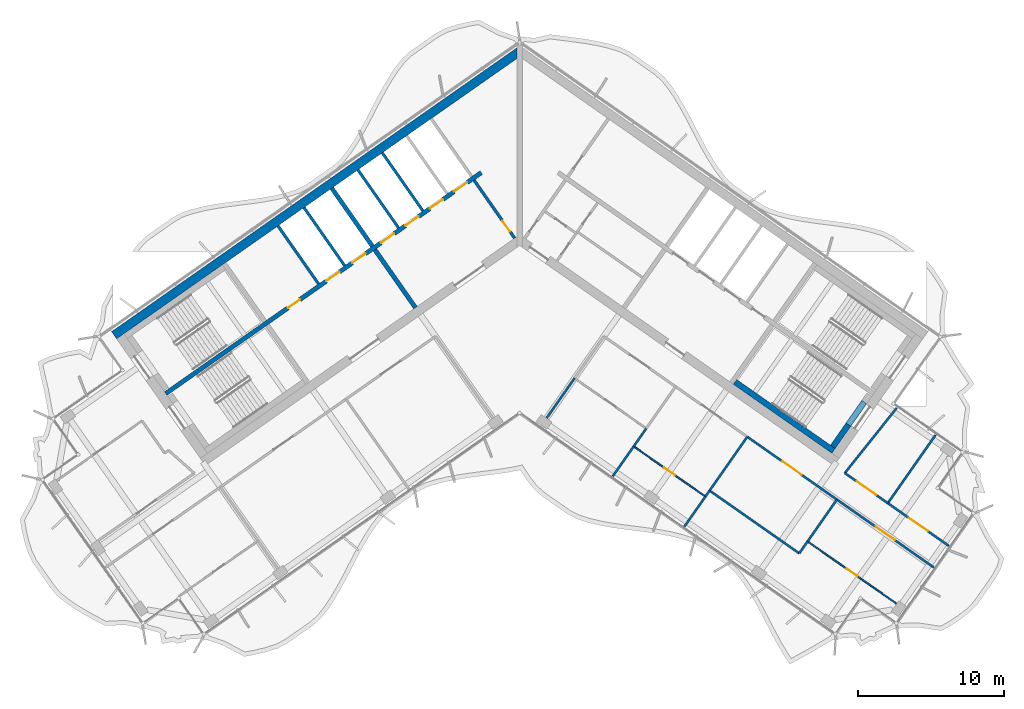
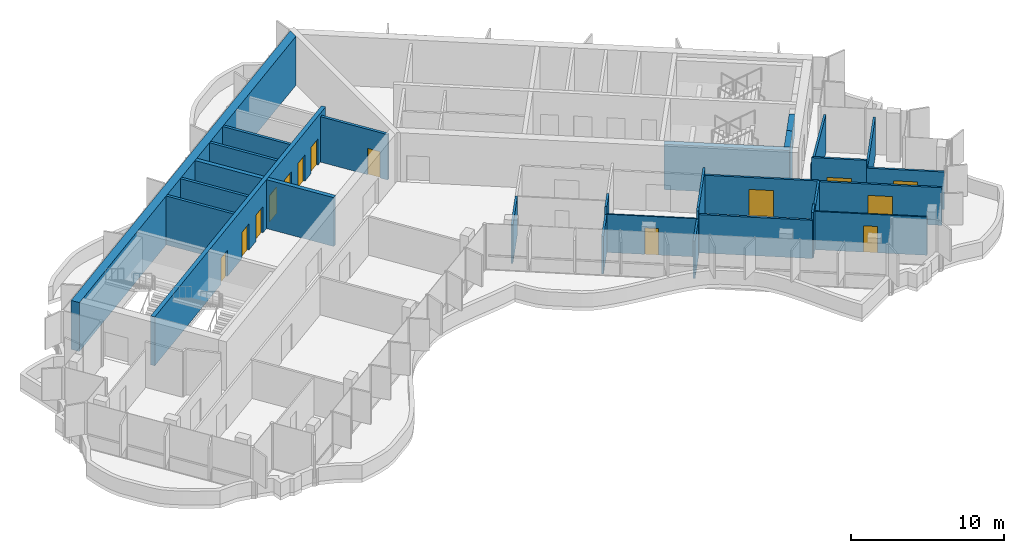
# One storey, part 10 of 18: 29 walls, 14 doors, 14 openings.
"""IFC4 building model written with IfcOpenShell, lengths in metres."""

from ifc_helpers import new_model, si_unit, direction, frame, frame_2d, origin, place, context, subcontext, project, spatial, polyline, rectangle, outline, extrude, material, layer, layer_set, type_object, element, fill, save


model = new_model("IFC4")

# Units and contexts
model_context = context("Model", 3, precision=1e-05, world=origin(), true_north=direction((0.0, 1.0)))
body_context = subcontext(model_context, "Body", "Model", "MODEL_VIEW")
ifc_project = project(units=[si_unit("LENGTHUNIT", "METRE"), si_unit("AREAUNIT", "SQUARE_METRE"), si_unit("VOLUMEUNIT", "CUBIC_METRE"), si_unit("PLANEANGLEUNIT", "RADIAN"), si_unit("MASSUNIT", "GRAM", prefix="KILO")], contexts=[model_context])

# Site, building, storey
site_placement = place(None, origin())
site = spatial("IfcSite", under=ifc_project, at=site_placement, CompositionType="ELEMENT")
building_placement = place(site_placement, origin())
building = spatial("IfcBuilding", under=site, at=building_placement, Name="Tel Ilan Convention Tower", CompositionType="ELEMENT")
storey_placement = place(building_placement, frame((0.0, 0.0, 256.60009765625)))
storey = spatial("IfcBuildingStorey", under=building, at=storey_placement, Name="L60", CompositionType="ELEMENT", Elevation=256.60009765625)

# Wall, opening, door
ifc_material_1 = material(Name="Concrete C30/37", Category="concrete")
ifc_layer_1 = layer(ifc_material_1, 0.199951171875)
ifc_layer_set_1 = layer_set([ifc_layer_1], Name="Core Service Room Wall 200 mm C30/37")
wall_type_1 = type_object("IfcWallType", Name="Core Service Room Wall 200 mm C30/37", PredefinedType="SOLIDWALL", material=ifc_layer_set_1)
wall_1_placement = place(storey_placement, frame((-0.343994140625, -0.729248046875, 0.0), z_axis=(0.0, 0.0, 1.0), x_axis=(-0.573560315113, 0.819163332265, 0.0)))
wall_1 = element("IfcWall", 1, at=wall_1_placement, inside=storey, type_object=wall_type_1, Name="L60 core wall apex-W", PredefinedType="SOLIDWALL", context=body_context, shape_type="SweptSolid", body=[
    extrude(rectangle(XDim=4.849853515625, YDim=0.199951171875, at=frame_2d((2.4248046875, 0.0))), origin(), (0.0, 0.0, 1.0), 3.619873046875),
])
opening_1_placement = place(wall_1_placement, frame((0.550048828125, 0.0, 0.0)))
opening_1 = element("IfcOpeningElement", 2, at=opening_1_placement, cuts=wall_1, Name="Opening CD4602", PredefinedType="OPENING", context=body_context, shape_type="SweptSolid", body=[
    extrude(rectangle(XDim=0.89990234375, YDim=2.10009765625, at=frame_2d((0.449951171875, 1.050048828125))), frame((0.0, 0.10986328125, 0.0), z_axis=(0.0, -1.0, 0.0), x_axis=(1.0, 0.0, 0.0)), (0.0, 0.0, 1.0), 0.219970703125),
])
ifc_material_2 = material(Name="Galvanised Steel Door Leaf", Category="steel")
door_type_1 = type_object("IfcDoorType", Name="Service Room Door 900 x 2100 FD60", OperationType="NOTDEFINED", PredefinedType="DOOR", material=ifc_material_2)
door_1_placement = place(opening_1_placement, origin())
door_1 = element("IfcDoor", 3, at=door_1_placement, inside=storey, type_object=door_type_1, Name="Electrical Room door", OperationType="SINGLE_SWING_RIGHT", OverallHeight=2.10009765625, OverallWidth=0.89990234375, PredefinedType="DOOR", context=body_context, shape_type="SweptSolid", body=[
    extrude(rectangle(XDim=0.89990234375, YDim=2.10009765625, at=frame_2d((0.449951171875, 1.050048828125))), frame((0.0, 0.02490234375, 0.0), z_axis=(0.0, -1.0, 0.0), x_axis=(1.0, 0.0, 0.0)), (0.0, 0.0, 1.0), 0.050048828125),
])
fill(opening_1, door_1)

# Walls
ifc_material_3 = material(Name="Concrete C40/50", Category="concrete")
ifc_layer_2 = layer(ifc_material_3, 0.300048828125)
ifc_layer_set_2 = layer_set([ifc_layer_2], Name="Core Shear Wall 300 mm C40/50")
wall_type_2 = type_object("IfcWallType", Name="Core Shear Wall 300 mm C40/50", PredefinedType="SHEAR", material=ifc_layer_set_2)
wall_2_placement = place(storey_placement, frame((-7.142822265625, -5.48974609375, 0.0), z_axis=(0.0, 0.0, 1.0), x_axis=(-0.573617744349, 0.819123118565, 0.0)))
element("IfcWall", 4, at=wall_2_placement, inside=storey, type_object=wall_type_2, Name="L60 core wall W-cross1-1", PredefinedType="SHEAR", context=body_context, shape_type="SweptSolid", body=[
    extrude(outline(polyline([(4.85009765625, 0.14990234375), (0.0, 0.150146484375), (0.0, -0.14990234375), (4.85009765625, -0.150146484375), (4.85009765625, 0.14990234375)])), origin(), (0.0, 0.0, 1.0), 3.89990234375),
])
wall_3_placement = place(storey_placement, frame((-10.096923828125, -1.271240234375, 0.0), z_axis=(0.0, 0.0, 1.0), x_axis=(-0.573560315113, 0.819163332265, 0.0)))
element("IfcWall", 5, at=wall_3_placement, inside=storey, type_object=wall_type_2, Name="L60 core wall W-cross1-2", PredefinedType="SHEAR", context=body_context, shape_type="SweptSolid", body=[
    extrude(outline(polyline([(4.849853515625, -0.14990234375), (4.849853515625, 0.150146484375), (0.0, 0.14990234375), (0.0, -0.150146484375), (4.849853515625, -0.14990234375)])), origin(), (0.0, 0.0, 1.0), 3.89990234375),
])

# Wall, openings, doors
wall_4_placement = place(storey_placement, frame((-2.638427734375, 3.76806640625, 0.0), z_axis=(0.0, 0.0, 1.0), x_axis=(-0.819155014212, -0.573572194837, 0.0)))
wall_4 = element("IfcWall", 6, at=wall_4_placement, inside=storey, type_object=wall_type_2, Name="L60 core wall W-spine", PredefinedType="SHEAR", context=body_context, shape_type="SweptSolid", body=[
    extrude(outline(polyline([(26.39990234375, 0.150146484375), (0.0, 0.14990234375), (0.0, -0.150146484375), (26.39990234375, -0.14990234375), (26.39990234375, 0.150146484375)])), origin(), (0.0, 0.0, 1.0), 3.89990234375),
])
opening_2_placement = place(wall_4_placement, frame((1.168701171875, 0.0, 0.0)))
opening_2 = element("IfcOpeningElement", 7, at=opening_2_placement, cuts=wall_4, Name="Opening LD4604", PredefinedType="OPENING", context=body_context, shape_type="SweptSolid", body=[
    extrude(rectangle(XDim=1.10009765625, YDim=2.10009765625, at=frame_2d((0.550048828125, 1.050048828125))), frame((0.0, 0.159912109375, 0.0), z_axis=(0.0, -1.0, 0.0), x_axis=(1.0, 0.0, 0.0)), (0.0, 0.0, 1.0), 0.320068359375),
])
opening_3_placement = place(wall_4_placement, frame((3.206298828125, 0.0, 0.0)))
opening_3 = element("IfcOpeningElement", 8, at=opening_3_placement, cuts=wall_4, Name="Opening LD4605", PredefinedType="OPENING", context=body_context, shape_type="SweptSolid", body=[
    extrude(rectangle(XDim=1.10009765625, YDim=2.10009765625, at=frame_2d((0.550048828125, 1.050048828125))), frame((0.0, 0.159912109375, 0.0), z_axis=(0.0, -1.0, 0.0), x_axis=(1.0, 0.0, 0.0)), (0.0, 0.0, 1.0), 0.320068359375),
])
opening_4_placement = place(wall_4_placement, frame((5.24365234375, 0.0, 0.0)))
opening_4 = element("IfcOpeningElement", 9, at=opening_4_placement, cuts=wall_4, Name="Opening LD4606", PredefinedType="OPENING", context=body_context, shape_type="SweptSolid", body=[
    extrude(rectangle(XDim=1.10009765625, YDim=2.10009765625, at=frame_2d((0.550048828125, 1.050048828125))), frame((0.0, 0.159912109375, 0.0), z_axis=(0.0, -1.0, 0.0), x_axis=(1.0, 0.0, 0.0)), (0.0, 0.0, 1.0), 0.320068359375),
])
opening_5_placement = place(wall_4_placement, frame((7.28125, 0.0, 0.0)))
opening_5 = element("IfcOpeningElement", 10, at=opening_5_placement, cuts=wall_4, Name="Opening LD4607", PredefinedType="OPENING", context=body_context, shape_type="SweptSolid", body=[
    extrude(rectangle(XDim=1.10009765625, YDim=2.10009765625, at=frame_2d((0.550048828125, 1.050048828125))), frame((0.0, 0.159912109375, 0.0), z_axis=(0.0, -1.0, 0.0), x_axis=(1.0, 0.0, 0.0)), (0.0, 0.0, 1.0), 0.320068359375),
])
opening_6_placement = place(wall_4_placement, frame((9.6875, 0.0, 0.0)))
opening_6 = element("IfcOpeningElement", 11, at=opening_6_placement, cuts=wall_4, Name="Opening LD4608", PredefinedType="OPENING", context=body_context, shape_type="SweptSolid", body=[
    extrude(rectangle(XDim=1.10009765625, YDim=2.10009765625, at=frame_2d((0.550048828125, 1.050048828125))), frame((0.0, 0.159912109375, 0.0), z_axis=(0.0, -1.0, 0.0), x_axis=(1.0, 0.0, 0.0)), (0.0, 0.0, 1.0), 0.320068359375),
])
opening_7_placement = place(wall_4_placement, frame((11.862548828125, 0.0, 0.0)))
opening_7 = element("IfcOpeningElement", 12, at=opening_7_placement, cuts=wall_4, Name="Opening LD4609", PredefinedType="OPENING", context=body_context, shape_type="SweptSolid", body=[
    extrude(rectangle(XDim=1.10009765625, YDim=2.10009765625, at=frame_2d((0.550048828125, 1.050048828125))), frame((0.0, 0.159912109375, 0.0), z_axis=(0.0, -1.0, 0.0), x_axis=(1.0, 0.0, 0.0)), (0.0, 0.0, 1.0), 0.320068359375),
])
opening_8_placement = place(wall_4_placement, frame((15.175048828125, 0.0, 0.0)))
opening_8 = element("IfcOpeningElement", 13, at=opening_8_placement, cuts=wall_4, Name="Opening CD4609", PredefinedType="OPENING", context=body_context, shape_type="SweptSolid", body=[
    extrude(rectangle(XDim=1.0, YDim=2.10009765625, at=frame_2d((0.5, 1.050048828125))), frame((0.0, 0.159912109375, 0.0), z_axis=(0.0, -1.0, 0.0), x_axis=(1.0, 0.0, 0.0)), (0.0, 0.0, 1.0), 0.320068359375),
])
ifc_material_4 = material(Name="Stainless Steel Sliding Door Leaf", Category="steel")
door_type_2 = type_object("IfcDoorType", Name="Lift Landing Door 1100 x 2100 FD120", OperationType="NOTDEFINED", PredefinedType="DOOR", material=ifc_material_4)
door_2_placement = place(opening_2_placement, origin())
door_2 = element("IfcDoor", 14, at=door_2_placement, inside=storey, type_object=door_type_2, Name="Lift HR1 landing door", OperationType="SLIDING_TO_LEFT", OverallHeight=2.10009765625, OverallWidth=1.10009765625, PredefinedType="DOOR", context=body_context, shape_type="SweptSolid", body=[
    extrude(rectangle(XDim=1.10009765625, YDim=2.10009765625, at=frame_2d((0.550048828125, 1.050048828125))), frame((0.0, 0.02490234375, 0.0), z_axis=(0.0, -1.0, 0.0), x_axis=(1.0, 0.0, 0.0)), (0.0, 0.0, 1.0), 0.050048828125),
])
fill(opening_2, door_2)
door_3_placement = place(opening_3_placement, origin())
door_3 = element("IfcDoor", 15, at=door_3_placement, inside=storey, type_object=door_type_2, Name="Lift HR2 landing door", OperationType="SLIDING_TO_RIGHT", OverallHeight=2.10009765625, OverallWidth=1.10009765625, PredefinedType="DOOR", context=body_context, shape_type="SweptSolid", body=[
    extrude(rectangle(XDim=1.10009765625, YDim=2.10009765625, at=frame_2d((0.550048828125, 1.050048828125))), frame((0.0, 0.02490234375, 0.0), z_axis=(0.0, -1.0, 0.0), x_axis=(1.0, 0.0, 0.0)), (0.0, 0.0, 1.0), 0.050048828125),
])
fill(opening_3, door_3)
door_4_placement = place(opening_4_placement, origin())
door_4 = element("IfcDoor", 16, at=door_4_placement, inside=storey, type_object=door_type_2, Name="Lift HR3 landing door", OperationType="SLIDING_TO_LEFT", OverallHeight=2.10009765625, OverallWidth=1.10009765625, PredefinedType="DOOR", context=body_context, shape_type="SweptSolid", body=[
    extrude(rectangle(XDim=1.10009765625, YDim=2.10009765625, at=frame_2d((0.550048828125, 1.050048828125))), frame((0.0, 0.02490234375, 0.0), z_axis=(0.0, -1.0, 0.0), x_axis=(1.0, 0.0, 0.0)), (0.0, 0.0, 1.0), 0.050048828125),
])
fill(opening_4, door_4)
door_5_placement = place(opening_5_placement, origin())
door_5 = element("IfcDoor", 17, at=door_5_placement, inside=storey, type_object=door_type_2, Name="Lift HR4 landing door", OperationType="SLIDING_TO_RIGHT", OverallHeight=2.10009765625, OverallWidth=1.10009765625, PredefinedType="DOOR", context=body_context, shape_type="SweptSolid", body=[
    extrude(rectangle(XDim=1.10009765625, YDim=2.10009765625, at=frame_2d((0.550048828125, 1.050048828125))), frame((0.0, 0.02490234375, 0.0), z_axis=(0.0, -1.0, 0.0), x_axis=(1.0, 0.0, 0.0)), (0.0, 0.0, 1.0), 0.050048828125),
])
fill(opening_5, door_5)
door_6_placement = place(opening_6_placement, origin())
door_6 = element("IfcDoor", 18, at=door_6_placement, inside=storey, type_object=door_type_2, Name="Lift HR5 landing door", OperationType="SLIDING_TO_LEFT", OverallHeight=2.10009765625, OverallWidth=1.10009765625, PredefinedType="DOOR", context=body_context, shape_type="SweptSolid", body=[
    extrude(rectangle(XDim=1.10009765625, YDim=2.10009765625, at=frame_2d((0.550048828125, 1.050048828125))), frame((0.0, 0.02490234375, 0.0), z_axis=(0.0, -1.0, 0.0), x_axis=(1.0, 0.0, 0.0)), (0.0, 0.0, 1.0), 0.050048828125),
])
fill(opening_6, door_6)
door_7_placement = place(opening_7_placement, origin())
door_7 = element("IfcDoor", 19, at=door_7_placement, inside=storey, type_object=door_type_2, Name="Lift HR6 landing door", OperationType="SLIDING_TO_RIGHT", OverallHeight=2.10009765625, OverallWidth=1.10009765625, PredefinedType="DOOR", context=body_context, shape_type="SweptSolid", body=[
    extrude(rectangle(XDim=1.10009765625, YDim=2.10009765625, at=frame_2d((0.550048828125, 1.050048828125))), frame((0.0, 0.02490234375, 0.0), z_axis=(0.0, -1.0, 0.0), x_axis=(1.0, 0.0, 0.0)), (0.0, 0.0, 1.0), 0.050048828125),
])
fill(opening_7, door_7)
ifc_material_5 = material(Name="Galvanised Steel Door Leaf", Category="steel")
door_type_3 = type_object("IfcDoorType", Name="Service Room Door 1000 x 2100 FD60", OperationType="NOTDEFINED", PredefinedType="DOOR", material=ifc_material_5)
door_8_placement = place(opening_8_placement, origin())
door_8 = element("IfcDoor", 20, at=door_8_placement, inside=storey, type_object=door_type_3, Name="Plant Room door", OperationType="SINGLE_SWING_RIGHT", OverallHeight=2.10009765625, OverallWidth=1.0, PredefinedType="DOOR", context=body_context, shape_type="SweptSolid", body=[
    extrude(rectangle(XDim=1.0, YDim=2.10009765625, at=frame_2d((0.5, 1.050048828125))), frame((0.0, 0.02490234375, 0.0), z_axis=(0.0, -1.0, 0.0), x_axis=(1.0, 0.0, 0.0)), (0.0, 0.0, 1.0), 0.050048828125),
])
fill(opening_8, door_8)

# Wall
ifc_material_6 = material(Name="Concrete C40/50", Category="concrete")
ifc_layer_3 = layer(ifc_material_6, 0.60009765625)
ifc_layer_set_3 = layer_set([ifc_layer_3], Name="Core Shear Wall 600 mm C40/50")
wall_type_3 = type_object("IfcWallType", Name="Core Shear Wall 600 mm C40/50", PredefinedType="SHEAR", material=ifc_layer_set_3)
wall_5_placement = place(storey_placement, frame((-0.02783203125, 12.066162109375, 0.0), z_axis=(0.0, 0.0, 1.0), x_axis=(-0.819151382952, -0.573577380837, 0.0)))
element("IfcWall", 21, at=wall_5_placement, inside=storey, type_object=wall_type_3, Name="L60 core wall W-back", PredefinedType="SHEAR", context=body_context, shape_type="SweptSolid", body=[
    extrude(outline(polyline([(33.89794921875, 0.300048828125), (0.420166015625, 0.300048828125), (0.0, -0.300048828125), (33.898193359375, -0.300048828125), (33.89794921875, 0.300048828125)])), origin(), (0.0, 0.0, 1.0), 3.89990234375),
])

# Wall, opening, door
ifc_material_7 = material(Name="Plasterboard on Steel Studs", Category="steel")
ifc_layer_4 = layer(ifc_material_7, 0.14990234375)
ifc_layer_set_4 = layer_set([ifc_layer_4], Name="Fire-rated Partition 150 EI 60")
wall_type_4 = type_object("IfcWallType", Name="Fire-rated Partition 150 EI 60", PredefinedType="PARTITIONING", material=ifc_layer_set_4)
wall_6_placement = place(storey_placement, frame((22.280517578125, -16.82177734375, 0.0), z_axis=(0.0, 0.0, 1.0), x_axis=(0.819165052243, -0.573557858619, 0.0)))
wall_6 = element("IfcWall", 22, at=wall_6_placement, inside=storey, type_object=wall_type_4, Name="Partition 001", PredefinedType="PARTITIONING", context=body_context, shape_type="SweptSolid", body=[
    extrude(rectangle(XDim=3.602294921875, YDim=0.14990234375, at=frame_2d((1.80126953125, 0.0))), origin(), (0.0, 0.0, 1.0), 3.619873046875),
])
opening_9_placement = place(wall_6_placement, frame((1.001220703125, 0.0, 0.0)))
opening_9 = element("IfcOpeningElement", 23, at=opening_9_placement, cuts=wall_6, Name="Opening L59-014", PredefinedType="OPENING", context=body_context, shape_type="SweptSolid", body=[
    extrude(rectangle(XDim=1.60009765625, YDim=2.10009765625, at=frame_2d((0.800048828125, 1.050048828125))), frame((0.0, 0.0849609375, 0.0), z_axis=(0.0, -1.0, 0.0), x_axis=(1.0, 0.0, 0.0)), (0.0, 0.0, 1.0), 0.169921875),
])
ifc_material_8 = material(Name="Timber Door Leaf in Steel Frame", Category="steel")
door_type_4 = type_object("IfcDoorType", Name="Tenant Suite Entrance Fire Door 1600x2100", OperationType="NOTDEFINED", PredefinedType="DOOR", material=ifc_material_8)
door_9_placement = place(opening_9_placement, origin())
door_9 = element("IfcDoor", 24, at=door_9_placement, inside=storey, type_object=door_type_4, Name="Door L59-014", OperationType="DOUBLE_DOOR_SINGLE_SWING", OverallHeight=2.10009765625, OverallWidth=1.60009765625, PredefinedType="DOOR", context=body_context, shape_type="SweptSolid", body=[
    extrude(rectangle(XDim=1.60009765625, YDim=2.10009765625, at=frame_2d((0.800048828125, 1.050048828125))), frame((0.0, 0.02490234375, 0.0), z_axis=(0.0, -1.0, 0.0), x_axis=(1.0, 0.0, 0.0)), (0.0, 0.0, 1.0), 0.050048828125),
])
fill(opening_9, door_9)

wall_7_placement = place(storey_placement, frame((25.22802734375, -18.8857421875, 0.0), z_axis=(0.0, 0.0, 1.0), x_axis=(0.819171218287, -0.57354905207, 0.0)))
wall_7 = element("IfcWall", 25, at=wall_7_placement, inside=storey, type_object=wall_type_4, Name="Partition 002", PredefinedType="PARTITIONING", context=body_context, shape_type="SweptSolid", body=[
    extrude(rectangle(XDim=5.10205078125, YDim=0.14990234375, at=frame_2d((2.551025390625, 0.0))), origin(), (0.0, 0.0, 1.0), 3.0),
])
opening_10_placement = place(wall_7_placement, frame((1.7509765625, 0.0, 0.0)))
opening_10 = element("IfcOpeningElement", 26, at=opening_10_placement, cuts=wall_7, Name="Opening L59-015", PredefinedType="OPENING", context=body_context, shape_type="SweptSolid", body=[
    extrude(rectangle(XDim=1.60009765625, YDim=2.10009765625, at=frame_2d((0.800048828125, 1.050048828125))), frame((0.0, 0.0849609375, 0.0), z_axis=(0.0, -1.0, 0.0), x_axis=(1.0, 0.0, 0.0)), (0.0, 0.0, 1.0), 0.169921875),
])
door_10_placement = place(opening_10_placement, origin())
door_10 = element("IfcDoor", 27, at=door_10_placement, inside=storey, type_object=door_type_4, Name="Door L59-015", OperationType="DOUBLE_DOOR_SINGLE_SWING", OverallHeight=2.10009765625, OverallWidth=1.60009765625, PredefinedType="DOOR", context=body_context, shape_type="SweptSolid", body=[
    extrude(rectangle(XDim=1.60009765625, YDim=2.10009765625, at=frame_2d((0.800048828125, 1.050048828125))), frame((0.0, 0.02490234375, 0.0), z_axis=(0.0, -1.0, 0.0), x_axis=(1.0, 0.0, 0.0)), (0.0, 0.0, 1.0), 0.050048828125),
])
fill(opening_10, door_10)

wall_8_placement = place(storey_placement, frame((21.741455078125, -18.6416015625, 0.0), z_axis=(0.0, 0.0, 1.0), x_axis=(-0.819164661457, 0.573558416746, 0.0)))
wall_8 = element("IfcWall", 28, at=wall_8_placement, inside=storey, type_object=wall_type_4, Name="Partition 005", PredefinedType="PARTITIONING", context=body_context, shape_type="SweptSolid", body=[
    extrude(rectangle(XDim=7.50390625, YDim=0.14990234375, at=frame_2d((3.751953125, 0.0))), origin(), (0.0, 0.0, 1.0), 3.0498046875),
])
opening_11_placement = place(wall_8_placement, frame((2.951904296875, 0.0, 0.0)))
opening_11 = element("IfcOpeningElement", 29, at=opening_11_placement, cuts=wall_8, Name="Opening L59-011", PredefinedType="OPENING", context=body_context, shape_type="SweptSolid", body=[
    extrude(rectangle(XDim=1.60009765625, YDim=2.10009765625, at=frame_2d((0.800048828125, 1.050048828125))), frame((0.0, 0.0849609375, 0.0), z_axis=(0.0, -1.0, 0.0), x_axis=(1.0, 0.0, 0.0)), (0.0, 0.0, 1.0), 0.169921875),
])
door_11_placement = place(opening_11_placement, origin())
door_11 = element("IfcDoor", 30, at=door_11_placement, inside=storey, type_object=door_type_4, Name="Door L59-011", OperationType="DOUBLE_DOOR_SINGLE_SWING", OverallHeight=2.10009765625, OverallWidth=1.60009765625, PredefinedType="DOOR", context=body_context, shape_type="SweptSolid", body=[
    extrude(rectangle(XDim=1.60009765625, YDim=2.10009765625, at=frame_2d((0.800048828125, 1.050048828125))), frame((0.0, 0.02490234375, 0.0), z_axis=(0.0, -1.0, 0.0), x_axis=(1.0, 0.0, 0.0)), (0.0, 0.0, 1.0), 0.050048828125),
])
fill(opening_11, door_11)

wall_9_placement = place(storey_placement, frame((28.375, -23.28662109375, 0.0), z_axis=(0.0, 0.0, 1.0), x_axis=(-0.819144140048, 0.573587724611, 0.0)))
wall_9 = element("IfcWall", 31, at=wall_9_placement, inside=storey, type_object=wall_type_4, Name="Partition 006", PredefinedType="PARTITIONING", context=body_context, shape_type="SweptSolid", body=[
    extrude(rectangle(XDim=8.10205078125, YDim=0.14990234375, at=frame_2d((4.051025390625, 0.0))), origin(), (0.0, 0.0, 1.0), 3.0),
])
opening_12_placement = place(wall_9_placement, frame((3.2509765625, 0.0, 0.0)))
opening_12 = element("IfcOpeningElement", 32, at=opening_12_placement, cuts=wall_9, Name="Opening L59-012", PredefinedType="OPENING", context=body_context, shape_type="SweptSolid", body=[
    extrude(rectangle(XDim=1.60009765625, YDim=2.10009765625, at=frame_2d((0.800048828125, 1.050048828125))), frame((0.0, 0.0849609375, 0.0), z_axis=(0.0, -1.0, 0.0), x_axis=(1.0, 0.0, 0.0)), (0.0, 0.0, 1.0), 0.169921875),
])
door_12_placement = place(opening_12_placement, origin())
door_12 = element("IfcDoor", 33, at=door_12_placement, inside=storey, type_object=door_type_4, Name="Door L59-012", OperationType="DOUBLE_DOOR_SINGLE_SWING", OverallHeight=2.10009765625, OverallWidth=1.60009765625, PredefinedType="DOOR", context=body_context, shape_type="SweptSolid", body=[
    extrude(rectangle(XDim=1.60009765625, YDim=2.10009765625, at=frame_2d((0.800048828125, 1.050048828125))), frame((0.0, 0.02490234375, 0.0), z_axis=(0.0, -1.0, 0.0), x_axis=(1.0, 0.0, 0.0)), (0.0, 0.0, 1.0), 0.050048828125),
])
fill(opening_12, door_12)

# Walls
wall_10_placement = place(storey_placement, frame((28.4990234375, -14.217529296875, 0.0), z_axis=(0.0, 0.0, 1.0), x_axis=(-0.573562952056, -0.819161485929, 0.0)))
element("IfcWall", 34, at=wall_10_placement, inside=storey, type_object=wall_type_4, Name="Partition 011", PredefinedType="PARTITIONING", context=body_context, shape_type="SweptSolid", body=[
    extrude(rectangle(XDim=5.699951171875, YDim=0.14990234375, at=frame_2d((2.85009765625, 0.0))), origin(), (0.0, 0.0, 1.0), 3.0498046875),
])
wall_11_placement = place(storey_placement, frame((22.2822265625, -16.822998046875, 0.0), z_axis=(0.0, 0.0, 1.0), x_axis=(0.623563137477, 0.781772993637, 0.0)))
element("IfcWall", 35, at=wall_11_placement, inside=storey, type_object=wall_type_4, Name="Partition 012", PredefinedType="PARTITIONING", context=body_context, shape_type="SweptSolid", body=[
    extrude(rectangle(XDim=5.711181640625, YDim=0.14990234375, at=frame_2d((2.85546875, 0.0))), origin(), (0.0, 0.0, 1.0), 3.0498046875),
])
wall_12_placement = place(storey_placement, frame((7.81396484375, -14.9921875, 0.0), z_axis=(0.0, 0.0, 1.0), x_axis=(-0.57356715775, -0.819158541157, 0.0)))
element("IfcWall", 36, at=wall_12_placement, inside=storey, type_object=wall_type_4, Name="Partition 014", PredefinedType="PARTITIONING", context=body_context, shape_type="SweptSolid", body=[
    extrude(rectangle(XDim=2.501220703125, YDim=0.14990234375, at=frame_2d((1.25048828125, 0.0))), origin(), (0.0, 0.0, 1.0), 3.0),
])
wall_13_placement = place(storey_placement, frame((8.673095703125, -13.76513671875, 0.0), z_axis=(0.0, 0.0, 1.0), x_axis=(-0.573549676934, -0.819170780783, 0.0)))
element("IfcWall", 37, at=wall_13_placement, inside=storey, type_object=wall_type_4, Name="Partition 015", PredefinedType="PARTITIONING", context=body_context, shape_type="SweptSolid", body=[
    extrude(rectangle(XDim=1.5009765625, YDim=0.14990234375, at=frame_2d((0.75048828125, 0.0))), origin(), (0.0, 0.0, 1.0), 3.619873046875),
])
wall_14_placement = place(storey_placement, frame((1.848876953125, -13.050537109375, 0.0), z_axis=(0.0, 0.0, 1.0), x_axis=(0.573595235521, 0.819138880647, 0.0)))
element("IfcWall", 38, at=wall_14_placement, inside=storey, type_object=wall_type_4, Name="Partition 016", PredefinedType="PARTITIONING", context=body_context, shape_type="SweptSolid", body=[
    extrude(rectangle(XDim=3.328857421875, YDim=0.14990234375, at=frame_2d((1.66455078125, 0.0))), origin(), (0.0, 0.0, 1.0), 3.0498046875),
])
wall_15_placement = place(storey_placement, frame((12.727783203125, -18.435302734375, 0.0), z_axis=(0.0, 0.0, 1.0), x_axis=(-0.573560689761, -0.819163069945, 0.0)))
element("IfcWall", 39, at=wall_15_placement, inside=storey, type_object=wall_type_4, Name="Partition 020", PredefinedType="PARTITIONING", context=body_context, shape_type="SweptSolid", body=[
    extrude(rectangle(XDim=2.4990234375, YDim=0.14990234375, at=frame_2d((1.24951171875, 0.0))), origin(), (0.0, 0.0, 1.0), 3.0),
])
wall_16_placement = place(storey_placement, frame((15.59619140625, -14.338623046875, 0.0), z_axis=(0.0, 0.0, 1.0), x_axis=(-0.573564243949, -0.819160581365, 0.0)))
element("IfcWall", 40, at=wall_16_placement, inside=storey, type_object=wall_type_4, Name="Partition 021", PredefinedType="PARTITIONING", context=body_context, shape_type="SweptSolid", body=[
    extrude(rectangle(XDim=4.502197265625, YDim=0.14990234375, at=frame_2d((2.2509765625, 0.0))), origin(), (0.0, 0.0, 1.0), 3.619873046875),
])
wall_17_placement = place(storey_placement, frame((13.015625, -18.024169921875, 0.0), z_axis=(0.0, 0.0, 1.0), x_axis=(-0.573560455774, -0.819163233777, 0.0)))
element("IfcWall", 41, at=wall_17_placement, inside=storey, type_object=wall_type_4, Name="Partition 022", PredefinedType="PARTITIONING", context=body_context, shape_type="SweptSolid", body=[
    extrude(rectangle(XDim=0.5009765625, YDim=0.14990234375, at=frame_2d((0.25048828125, 0.0))), origin(), (0.0, 0.0, 1.0), 3.619873046875),
])
wall_18_placement = place(storey_placement, frame((19.73291015625, -21.5068359375, 0.0), z_axis=(0.0, 0.0, 1.0), x_axis=(-0.573691505171, -0.819071460188, 0.0)))
element("IfcWall", 42, at=wall_18_placement, inside=storey, type_object=wall_type_4, Name="Partition 023", PredefinedType="PARTITIONING", context=body_context, shape_type="SweptSolid", body=[
    extrude(rectangle(XDim=1.0009765625, YDim=0.14990234375, at=frame_2d((0.50048828125, 0.0))), origin(), (0.0, 0.0, 1.0), 3.619873046875),
])
wall_19_placement = place(storey_placement, frame((19.15869140625, -22.32666015625, 0.0), z_axis=(0.0, 0.0, 1.0), x_axis=(-0.81915238829, 0.573575945067, 0.0)))
element("IfcWall", 43, at=wall_19_placement, inside=storey, type_object=wall_type_4, Name="Partition 024", PredefinedType="PARTITIONING", context=body_context, shape_type="SweptSolid", body=[
    extrude(rectangle(XDim=7.5, YDim=0.14990234375, at=frame_2d((3.75, 0.0))), origin(), (0.0, 0.0, 1.0), 3.0498046875),
])
wall_20_placement = place(storey_placement, frame((21.73974609375, -18.640625, 0.0), z_axis=(0.0, 0.0, 1.0), x_axis=(-0.573555919535, -0.819166409935, 0.0)))
element("IfcWall", 44, at=wall_20_placement, inside=storey, type_object=wall_type_4, Name="Partition 025", PredefinedType="PARTITIONING", context=body_context, shape_type="SweptSolid", body=[
    extrude(rectangle(XDim=3.501953125, YDim=0.14990234375, at=frame_2d((1.7509765625, 0.0))), origin(), (0.0, 0.0, 1.0), 3.0498046875),
])
ifc_material_9 = material(Name="Concrete C30/37", Category="concrete")
ifc_layer_5 = layer(ifc_material_9, 0.199951171875)
ifc_layer_set_5 = layer_set([ifc_layer_5], Name="Lift Shaft Wall 200 mm C30/37")
wall_type_5 = type_object("IfcWallType", Name="Lift Shaft Wall 200 mm C30/37", PredefinedType="SOLIDWALL", material=ifc_layer_set_5)
wall_21_placement = place(storey_placement, frame((-6.635986328125, 1.152099609375, 0.0), z_axis=(0.0, 0.0, 1.0), x_axis=(-0.573560315113, 0.819163332265, 0.0)))
element("IfcWall", 45, at=wall_21_placement, inside=storey, type_object=wall_type_5, Name="L60 core wall bank-W1-p1", PredefinedType="SOLIDWALL", context=body_context, shape_type="SweptSolid", body=[
    extrude(rectangle(XDim=4.849853515625, YDim=0.199951171875, at=frame_2d((2.4248046875, 0.0))), origin(), (0.0, 0.0, 1.0), 3.89990234375),
])
wall_22_placement = place(storey_placement, frame((-8.304931640625, -0.0166015625, 0.0), z_axis=(0.0, 0.0, 1.0), x_axis=(-0.573594092424, 0.81913968109, 0.0)))
element("IfcWall", 46, at=wall_22_placement, inside=storey, type_object=wall_type_5, Name="L60 core wall bank-W1-p2", PredefinedType="SOLIDWALL", context=body_context, shape_type="SweptSolid", body=[
    extrude(rectangle(XDim=4.85009765625, YDim=0.199951171875, at=frame_2d((2.425048828125, 0.0))), origin(), (0.0, 0.0, 1.0), 3.89990234375),
])
wall_23_placement = place(storey_placement, frame((-12.00146484375, -2.604736328125, 0.0), z_axis=(0.0, 0.0, 1.0), x_axis=(-0.573560315113, 0.819163332265, 0.0)))
element("IfcWall", 47, at=wall_23_placement, inside=storey, type_object=wall_type_5, Name="L60 core wall bank-W2-p0", PredefinedType="SOLIDWALL", context=body_context, shape_type="SweptSolid", body=[
    extrude(rectangle(XDim=4.849853515625, YDim=0.199951171875, at=frame_2d((2.4248046875, 0.0))), origin(), (0.0, 0.0, 1.0), 3.89990234375),
])
wall_24_placement = place(storey_placement, frame((-13.782958984375, -3.852294921875, 0.0), z_axis=(0.0, 0.0, 1.0), x_axis=(-0.573594092424, 0.81913968109, 0.0)))
element("IfcWall", 48, at=wall_24_placement, inside=storey, type_object=wall_type_5, Name="L60 core wall bank-W2-p1", PredefinedType="SOLIDWALL", context=body_context, shape_type="SweptSolid", body=[
    extrude(rectangle(XDim=4.85009765625, YDim=0.199951171875, at=frame_2d((2.425048828125, 0.0))), origin(), (0.0, 0.0, 1.0), 3.89990234375),
])

# Wall, opening, door
ifc_material_10 = material(Name="Plasterboard on Steel Studs", Category="steel")
ifc_layer_6 = layer(ifc_material_10, 0.10009765625)
ifc_layer_set_6 = layer_set([ifc_layer_6], Name="Plasterboard Partition 100")
wall_type_6 = type_object("IfcWallType", Name="Plasterboard Partition 100", PredefinedType="PARTITIONING", material=ifc_layer_set_6)
wall_25_placement = place(storey_placement, frame((12.727783203125, -18.435302734375, 0.0), z_axis=(0.0, 0.0, 1.0), x_axis=(-0.819163097304, 0.573560650686, 0.0)))
wall_25 = element("IfcWall", 49, at=wall_25_placement, inside=storey, type_object=wall_type_6, Name="Partition 019", PredefinedType="PARTITIONING", context=body_context, shape_type="SweptSolid", body=[
    extrude(rectangle(XDim=6.0, YDim=0.10009765625, at=frame_2d((3.0, 0.0))), origin(), (0.0, 0.0, 1.0), 3.0498046875),
])
opening_13_placement = place(wall_25_placement, frame((2.550048828125, 0.0, 0.0)))
opening_13 = element("IfcOpeningElement", 50, at=opening_13_placement, cuts=wall_25, Name="Opening L59-010", PredefinedType="OPENING", context=body_context, shape_type="SweptSolid", body=[
    extrude(rectangle(XDim=0.89990234375, YDim=2.10009765625, at=frame_2d((0.449951171875, 1.050048828125))), frame((0.0, 0.06005859375, 0.0), z_axis=(0.0, -1.0, 0.0), x_axis=(1.0, 0.0, 0.0)), (0.0, 0.0, 1.0), 0.1201171875),
])
ifc_material_11 = material(Name="Timber Door Leaf in Steel Frame", Category="steel")
door_type_5 = type_object("IfcDoorType", Name="Room Timber Door 900x2100", OperationType="NOTDEFINED", PredefinedType="DOOR", material=ifc_material_11)
door_13_placement = place(opening_13_placement, origin())
door_13 = element("IfcDoor", 51, at=door_13_placement, inside=storey, type_object=door_type_5, Name="Door L59-010", OperationType="SINGLE_SWING_RIGHT", OverallHeight=2.10009765625, OverallWidth=0.89990234375, PredefinedType="DOOR", context=body_context, shape_type="SweptSolid", body=[
    extrude(rectangle(XDim=0.89990234375, YDim=2.10009765625, at=frame_2d((0.449951171875, 1.050048828125))), frame((0.0, 0.02490234375, 0.0), z_axis=(0.0, -1.0, 0.0), x_axis=(1.0, 0.0, 0.0)), (0.0, 0.0, 1.0), 0.050048828125),
])
fill(opening_13, door_13)

wall_26_placement = place(storey_placement, frame((25.818115234375, -25.77001953125, 0.0), z_axis=(0.0, 0.0, 1.0), x_axis=(-0.819154729426, 0.573572601559, 0.0)))
wall_26 = element("IfcWall", 52, at=wall_26_placement, inside=storey, type_object=wall_type_6, Name="Partition 026", PredefinedType="PARTITIONING", context=body_context, shape_type="SweptSolid", body=[
    extrude(rectangle(XDim=7.43017578125, YDim=0.10009765625, at=frame_2d((3.715087890625, 0.0))), origin(), (0.0, 0.0, 1.0), 3.0498046875),
])
opening_14_placement = place(wall_26_placement, frame((3.264892578125, 0.0, 0.0)))
opening_14 = element("IfcOpeningElement", 53, at=opening_14_placement, cuts=wall_26, Name="Opening L59-013", PredefinedType="OPENING", context=body_context, shape_type="SweptSolid", body=[
    extrude(rectangle(XDim=0.89990234375, YDim=2.10009765625, at=frame_2d((0.449951171875, 1.050048828125))), frame((0.0, 0.06005859375, 0.0), z_axis=(0.0, -1.0, 0.0), x_axis=(1.0, 0.0, 0.0)), (0.0, 0.0, 1.0), 0.1201171875),
])
door_14_placement = place(opening_14_placement, origin())
door_14 = element("IfcDoor", 54, at=door_14_placement, inside=storey, type_object=door_type_5, Name="Door L59-013", OperationType="SINGLE_SWING_RIGHT", OverallHeight=2.10009765625, OverallWidth=0.89990234375, PredefinedType="DOOR", context=body_context, shape_type="SweptSolid", body=[
    extrude(rectangle(XDim=0.89990234375, YDim=2.10009765625, at=frame_2d((0.449951171875, 1.050048828125))), frame((0.0, 0.02490234375, 0.0), z_axis=(0.0, -1.0, 0.0), x_axis=(1.0, 0.0, 0.0)), (0.0, 0.0, 1.0), 0.050048828125),
])
fill(opening_14, door_14)

# Walls
ifc_material_12 = material(Name="Concrete C30/37", Category="concrete")
ifc_layer_7 = layer(ifc_material_12, 0.39990234375)
ifc_layer_set_7 = layer_set([ifc_layer_7], Name="Stair and Shaft Lining Wall 400 mm C30/37")
wall_type_7 = type_object("IfcWallType", Name="Stair and Shaft Lining Wall 400 mm C30/37", PredefinedType="SOLIDWALL", material=ifc_layer_set_7)
wall_27_placement = place(storey_placement, frame((14.7529296875, -10.57421875, 0.0), z_axis=(0.0, 0.0, 1.0), x_axis=(0.819158229677, -0.573567602601, 0.0)))
element("IfcWall", 55, at=wall_27_placement, inside=storey, type_object=wall_type_7, Name="L60 core wall lining-S4-t0", PredefinedType="SOLIDWALL", context=body_context, shape_type="SweptSolid", body=[
    extrude(rectangle(XDim=8.25, YDim=0.39990234375, at=frame_2d((4.125, 0.0))), origin(), (0.0, 0.0, 1.0), 3.619873046875),
])
wall_28_placement = place(storey_placement, frame((21.4619140625, -15.027587890625, 0.0), z_axis=(0.0, 0.0, 1.0), x_axis=(0.573559770908, 0.819163713305, 0.0)))
element("IfcWall", 56, at=wall_28_placement, inside=storey, type_object=wall_type_7, Name="L60 core wall lining-S4-u1-0", PredefinedType="SOLIDWALL", context=body_context, shape_type="SweptSolid", body=[
    extrude(rectangle(XDim=1.849853515625, YDim=0.39990234375, at=frame_2d((0.9248046875, 0.0))), origin(), (0.0, 0.0, 1.0), 3.619873046875),
])
wall_29_placement = place(storey_placement, frame((22.52294921875, -13.51220703125, 2.14990234375), z_axis=(0.0, 0.0, 1.0), x_axis=(0.573591692345, 0.819141361715, 0.0)))
element("IfcWall", 57, at=wall_29_placement, inside=storey, type_object=wall_type_7, Name="L60 core wall lining-S4-u1-lintel", PredefinedType="SOLIDWALL", context=body_context, shape_type="SweptSolid", body=[
    extrude(rectangle(XDim=1.900146484375, YDim=0.39990234375, at=frame_2d((0.9501953125, 0.0))), origin(), (0.0, 0.0, 1.0), 1.469970703125),
])

save(model, "model.ifc")
